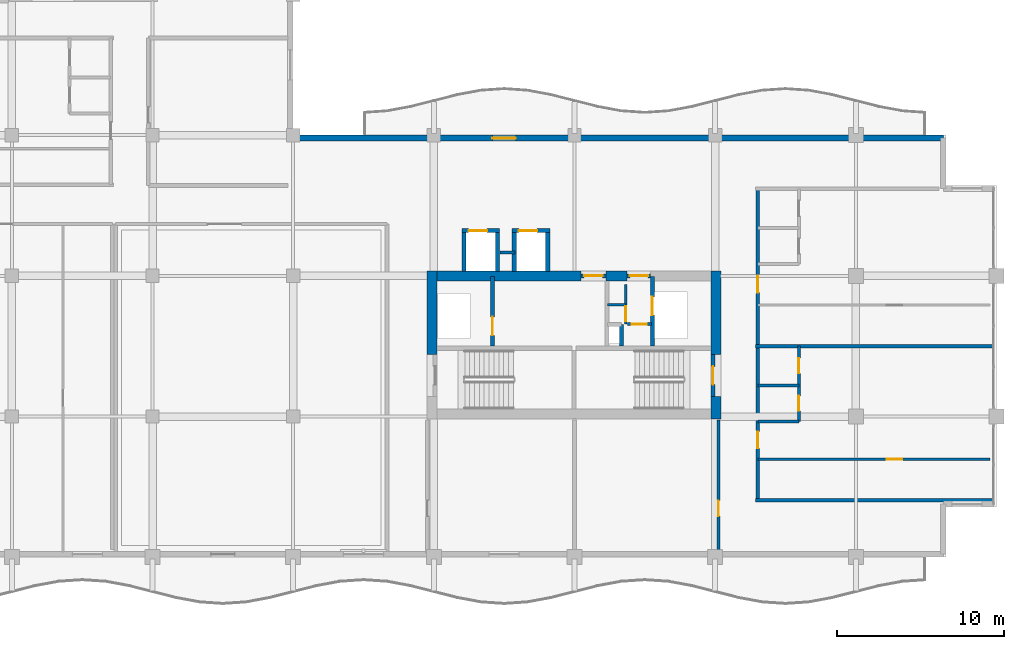
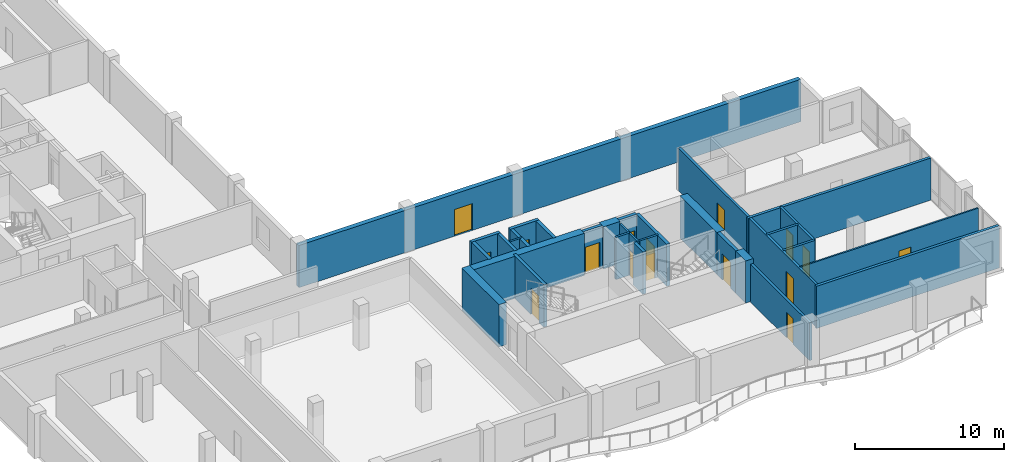
# One storey, part 7 of 16: 30 walls, 16 doors, 16 openings.
"""IFC4 building model written with IfcOpenShell, lengths in metres."""

from ifc_helpers import new_model, si_unit, direction, frame, frame_2d, origin, place, context, subcontext, project, spatial, rectangle, extrude, material, layer, layer_set, type_object, element, fill, save


model = new_model("IFC4")

# Units and contexts
model_context = context("Model", 3, precision=1e-05, world=origin(), true_north=direction((0.0, 1.0)))
body_context = subcontext(model_context, "Body", "Model", "MODEL_VIEW")
ifc_project = project(units=[si_unit("LENGTHUNIT", "METRE"), si_unit("AREAUNIT", "SQUARE_METRE"), si_unit("VOLUMEUNIT", "CUBIC_METRE"), si_unit("PLANEANGLEUNIT", "RADIAN"), si_unit("MASSUNIT", "GRAM", prefix="KILO")], contexts=[model_context])

# Site, building, storey
site_placement = place(None, origin())
site = spatial("IfcSite", under=ifc_project, at=site_placement, CompositionType="ELEMENT")
building_placement = place(site_placement, origin())
building = spatial("IfcBuilding", under=site, at=building_placement, Name="Koriwani Terraces Tower", CompositionType="ELEMENT")
storey_placement = place(building_placement, frame((0.0, 0.0, 274.89990234375)))
storey = spatial("IfcBuildingStorey", under=building, at=storey_placement, Name="L68", CompositionType="ELEMENT", Elevation=274.89990234375)

# Walls
ifc_material_1 = material(Name="Concrete C60/75", Category="concrete")
ifc_layer_1 = layer(ifc_material_1, 0.60009765625, Name="Concrete C60/75")
ifc_layer_set_1 = layer_set([ifc_layer_1], Name="Concrete C60/75")
wall_type_1 = type_object("IfcWallType", Name="WALL_CORE_RC_600", PredefinedType="SHEAR", material=ifc_layer_set_1)
wall_1_placement = place(storey_placement, frame((41.89990234375, 20.5, 0.0), z_axis=(0.0, 0.0, 1.0), x_axis=(0.0, 1.0, 0.0)))
element("IfcWall", 1, at=wall_1_placement, inside=storey, type_object=wall_type_1, Name="L68 East Split Core Shear Wall W2", PredefinedType="SHEAR", context=body_context, shape_type="SweptSolid", body=[
    extrude(rectangle(XDim=5.0, YDim=0.60009765625, at=frame_2d((2.5, 0.0))), origin(), (0.0, 0.0, 1.0), 3.47021484375),
])
wall_2_placement = place(storey_placement, frame((58.85009765625, 16.64990234375, 0.0), z_axis=(0.0, 0.0, 1.0), x_axis=(0.0, 1.0, 0.0)))
element("IfcWall", 2, at=wall_2_placement, inside=storey, type_object=wall_type_1, Name="L68 East Split Core Shear Wall E1", PredefinedType="SHEAR", context=body_context, shape_type="SweptSolid", body=[
    extrude(rectangle(XDim=1.35009765625, YDim=0.60009765625, at=frame_2d((0.675048828125, 0.0))), origin(), (0.0, 0.0, 1.0), 3.47021484375),
])
wall_3_placement = place(storey_placement, frame((58.85009765625, 20.5, 0.0), z_axis=(0.0, 0.0, 1.0), x_axis=(0.0, 1.0, 0.0)))
element("IfcWall", 3, at=wall_3_placement, inside=storey, type_object=wall_type_1, Name="L68 East Split Core Shear Wall E2", PredefinedType="SHEAR", context=body_context, shape_type="SweptSolid", body=[
    extrude(rectangle(XDim=5.0, YDim=0.60009765625, at=frame_2d((2.5, 0.0))), origin(), (0.0, 0.0, 1.0), 3.47021484375),
])
wall_4_placement = place(storey_placement, frame((42.199951171875, 25.199951171875, 0.0), z_axis=(0.0, 0.0, 1.0), x_axis=(1.0, 0.0, 0.0)))
element("IfcWall", 4, at=wall_4_placement, inside=storey, type_object=wall_type_1, Name="L68 East Split Core Shear Wall N1", PredefinedType="SHEAR", context=body_context, shape_type="SweptSolid", body=[
    extrude(rectangle(XDim=8.60009765625, YDim=0.60009765625, at=frame_2d((4.300048828125, 0.0))), origin(), (0.0, 0.0, 1.0), 3.47021484375),
])
wall_5_placement = place(storey_placement, frame((52.280029296875, 25.199951171875, 0.0), z_axis=(0.0, 0.0, 1.0), x_axis=(1.0, 0.0, 0.0)))
element("IfcWall", 5, at=wall_5_placement, inside=storey, type_object=wall_type_1, Name="L68 East Split Core Shear Wall N2", PredefinedType="SHEAR", context=body_context, shape_type="SweptSolid", body=[
    extrude(rectangle(XDim=1.27001953125, YDim=0.60009765625, at=frame_2d((0.635009765625, 0.0))), origin(), (0.0, 0.0, 1.0), 3.47021484375),
])

# Wall, opening, door
ifc_material_2 = material(Name="Autoclaved Cellular Concrete Blockwork", Category="masonry")
ifc_layer_2 = layer(ifc_material_2, 0.199951171875, Name="Autoclaved Cellular Concrete Blockwork")
ifc_layer_set_2 = layer_set([ifc_layer_2], Name="Autoclaved Cellular Concrete Blockwork")
wall_type_2 = type_object("IfcWallType", Name="WALL_CORRIDOR_200", PredefinedType="PARTITIONING", material=ifc_layer_set_2)
wall_6_placement = place(storey_placement, frame((59.0, 8.64990234375, 0.0), z_axis=(0.0, 0.0, 1.0), x_axis=(0.0, 1.0, 0.0)))
wall_6 = element("IfcWall", 6, at=wall_6_placement, inside=storey, type_object=wall_type_2, Name="L68 Interior Wall WRZ4-EE-L68", PredefinedType="PARTITIONING", context=body_context, shape_type="SweptSolid", body=[
    extrude(rectangle(XDim=7.9501953125, YDim=0.199951171875, at=frame_2d((3.97509765625, 0.0))), origin(), (0.0, 0.0, 1.0), 3.107177734375),
])
opening_1_placement = place(wall_6_placement, frame((2.199951171875, 0.0, 0.0)))
opening_1 = element("IfcOpeningElement", 7, at=opening_1_placement, cuts=wall_6, Name="Opening D-06", PredefinedType="OPENING", context=body_context, shape_type="SweptSolid", body=[
    extrude(rectangle(XDim=0.919921875, YDim=2.10009765625, at=frame_2d((0.4599609375, 1.050048828125))), frame((0.0, 0.10986328125, 0.0), z_axis=(0.0, -1.0, 0.0), x_axis=(1.0, 0.0, 0.0)), (0.0, 0.0, 1.0), 0.219970703125),
])
ifc_material_3 = material(Name="Architectural Oak Fire Door", Category="wood")
door_type_1 = type_object("IfcDoorType", Name="DOOR_ROOM_INT_920X2100", OperationType="NOTDEFINED", PredefinedType="DOOR", material=ifc_material_3)
door_1_placement = place(opening_1_placement, origin())
door_1 = element("IfcDoor", 8, at=door_1_placement, inside=storey, type_object=door_type_1, Name="L68 Resident Laundry Room Door", OperationType="SINGLE_SWING_RIGHT", OverallHeight=2.10009765625, OverallWidth=0.919921875, PredefinedType="DOOR", context=body_context, shape_type="SweptSolid", body=[
    extrude(rectangle(XDim=0.919921875, YDim=2.10009765625, at=frame_2d((0.4599609375, 1.050048828125))), frame((0.0, 0.02490234375, 0.0), z_axis=(0.0, -1.0, 0.0), x_axis=(1.0, 0.0, 0.0)), (0.0, 0.0, 1.0), 0.050048828125),
])
fill(opening_1, door_1)

# Wall, openings, doors
wall_7_placement = place(storey_placement, frame((61.35009765625, 11.800048828125, 0.0), z_axis=(0.0, 0.0, 1.0), x_axis=(0.0, 1.0, 0.0)))
wall_7 = element("IfcWall", 9, at=wall_7_placement, inside=storey, type_object=wall_type_2, Name="L68 Interior Wall WRCOR-L68-ETE-0", PredefinedType="PARTITIONING", context=body_context, shape_type="SweptSolid", body=[
    extrude(rectangle(XDim=18.599853515625, YDim=0.199951171875, at=frame_2d((9.2998046875, 0.0))), origin(), (0.0, 0.0, 1.0), 3.47021484375),
])
opening_2_placement = place(wall_7_placement, frame((3.094970703125, 0.0, 0.0)))
opening_2 = element("IfcOpeningElement", 10, at=opening_2_placement, cuts=wall_7, Name="Opening D-05", PredefinedType="OPENING", context=body_context, shape_type="SweptSolid", body=[
    extrude(rectangle(XDim=1.0, YDim=2.14990234375, at=frame_2d((0.5, 1.074951171875))), frame((0.0, 0.10986328125, 0.0), z_axis=(0.0, -1.0, 0.0), x_axis=(1.0, 0.0, 0.0)), (0.0, 0.0, 1.0), 0.219970703125),
])
opening_3_placement = place(wall_7_placement, frame((12.39501953125, 0.0, 0.0)))
opening_3 = element("IfcOpeningElement", 11, at=opening_3_placement, cuts=wall_7, Name="Opening D-05", PredefinedType="OPENING", context=body_context, shape_type="SweptSolid", body=[
    extrude(rectangle(XDim=1.0, YDim=2.14990234375, at=frame_2d((0.5, 1.074951171875))), frame((0.0, 0.10986328125, 0.0), z_axis=(0.0, -1.0, 0.0), x_axis=(1.0, 0.0, 0.0)), (0.0, 0.0, 1.0), 0.219970703125),
])
door_type_2 = type_object("IfcDoorType", Name="DOOR_SUITE_ENTRY_1000X2150", OperationType="NOTDEFINED", PredefinedType="DOOR", material=ifc_material_3)
door_2_placement = place(opening_2_placement, origin())
door_2 = element("IfcDoor", 12, at=door_2_placement, inside=storey, type_object=door_type_2, Name="Apartment 68ETE1 Entrance Door", OperationType="SINGLE_SWING_RIGHT", OverallHeight=2.14990234375, OverallWidth=1.0, PredefinedType="DOOR", context=body_context, shape_type="SweptSolid", body=[
    extrude(rectangle(XDim=1.0, YDim=2.14990234375, at=frame_2d((0.5, 1.074951171875))), frame((0.0, 0.02490234375, 0.0), z_axis=(0.0, -1.0, 0.0), x_axis=(1.0, 0.0, 0.0)), (0.0, 0.0, 1.0), 0.050048828125),
])
fill(opening_2, door_2)
door_3_placement = place(opening_3_placement, origin())
door_3 = element("IfcDoor", 13, at=door_3_placement, inside=storey, type_object=door_type_2, Name="Apartment 68ETE2 Entrance Door", OperationType="SINGLE_SWING_RIGHT", OverallHeight=2.14990234375, OverallWidth=1.0, PredefinedType="DOOR", context=body_context, shape_type="SweptSolid", body=[
    extrude(rectangle(XDim=1.0, YDim=2.14990234375, at=frame_2d((0.5, 1.074951171875))), frame((0.0, 0.02490234375, 0.0), z_axis=(0.0, -1.0, 0.0), x_axis=(1.0, 0.0, 0.0)), (0.0, 0.0, 1.0), 0.050048828125),
])
fill(opening_3, door_3)

# Walls
ifc_layer_3 = layer(ifc_material_2, 0.219970703125, Name="Autoclaved Cellular Concrete Blockwork")
ifc_layer_set_3 = layer_set([ifc_layer_3], Name="Autoclaved Cellular Concrete Blockwork")
wall_type_3 = type_object("IfcWallType", Name="WALL_DEMISING_220", PredefinedType="PARTITIONING", material=ifc_layer_set_3)
for number, where, z_axis, x_axis, name in (
    (14, (61.199951171875, 11.800048828125, 0.0), (0.0, 0.0, 1.0), (1.0, 0.0, 0.0), "L68 Interior Wall WRDEM-L68-ETE-0"),
    (15, (61.199951171875, 21.0, 0.0), (0.0, 0.0, 1.0), (1.0, 0.0, 0.0), "L68 Interior Wall WRDEM-L68-ETE-1"),
):
    element("IfcWall", number, at=place(storey_placement, frame(where, z_axis=z_axis, x_axis=x_axis)), inside=storey, type_object=wall_type_3, Name=name, PredefinedType="PARTITIONING", context=body_context, shape_type="SweptSolid", body=[
        extrude(rectangle(XDim=14.199951171875, YDim=0.219970703125, at=frame_2d((7.10009765625, 0.0))), origin(), (0.0, 0.0, 1.0), 3.47021484375),
    ])

# Wall, opening, door
ifc_material_4 = material(Name="Concrete C50/60", Category="concrete")
ifc_layer_4 = layer(ifc_material_4, 0.35009765625, Name="Concrete C50/60")
ifc_layer_set_4 = layer_set([ifc_layer_4], Name="Concrete C50/60")
wall_type_4 = type_object("IfcWallType", Name="WALL_EXT_BRUTALIST_350", PredefinedType="STANDARD", material=ifc_layer_set_4)
wall_8_placement = place(storey_placement, frame((33.425048828125, 33.425048828125, 0.0), z_axis=(0.0, 0.0, 1.0), x_axis=(1.0, 0.0, 0.0)))
wall_8 = element("IfcWall", 16, at=wall_8_placement, inside=storey, type_object=wall_type_4, Name="L68 Fair-Faced Brutalist Exterior Wall (NE)", PredefinedType="STANDARD", context=body_context, shape_type="SweptSolid", body=[
    extrude(rectangle(XDim=39.0, YDim=0.35009765625, at=frame_2d((19.5, 0.0))), origin(), (0.0, 0.0, 1.0), 3.47021484375),
])
opening_4_placement = place(wall_8_placement, frame((12.074951171875, 0.0, 0.0)))
opening_4 = element("IfcOpeningElement", 17, at=opening_4_placement, cuts=wall_8, Name="Opening D-09", PredefinedType="OPENING", context=body_context, shape_type="SweptSolid", body=[
    extrude(rectangle(XDim=1.39990234375, YDim=2.199951171875, at=frame_2d((0.699951171875, 1.10009765625))), frame((0.0, 0.18505859375, 0.0), z_axis=(0.0, -1.0, 0.0), x_axis=(1.0, 0.0, 0.0)), (0.0, 0.0, 1.0), 0.3701171875),
])
ifc_material_5 = material(Name="Anodised Bronze Aluminium", Category="aluminium")
door_type_3 = type_object("IfcDoorType", Name="DOOR_BALCONY_GLAZED_1400X2200", OperationType="NOTDEFINED", PredefinedType="DOOR", material=ifc_material_5)
door_4_placement = place(opening_4_placement, origin())
door_4 = element("IfcDoor", 18, at=door_4_placement, inside=storey, type_object=door_type_3, Name="L68 Inner Court Balcony Glazed Door", OperationType="SINGLE_SWING_LEFT", OverallHeight=2.199951171875, OverallWidth=1.39990234375, PredefinedType="DOOR", context=body_context, shape_type="SweptSolid", body=[
    extrude(rectangle(XDim=1.39990234375, YDim=2.199951171875, at=frame_2d((0.699951171875, 1.10009765625))), frame((0.0, 0.02490234375, 0.0), z_axis=(0.0, -1.0, 0.0), x_axis=(1.0, 0.0, 0.0)), (0.0, 0.0, 1.0), 0.050048828125),
])
fill(opening_4, door_4)

ifc_material_6 = material(Name="Fire-Rated Acoustic Gypsum Partition", Category="masonry")
ifc_layer_5 = layer(ifc_material_6, 0.125, Name="Fire-Rated Acoustic Gypsum Partition")
ifc_layer_set_5 = layer_set([ifc_layer_5], Name="Fire-Rated Acoustic Gypsum Partition")
wall_type_5 = type_object("IfcWallType", Name="WALL_INT_125", PredefinedType="PARTITIONING", material=ifc_layer_set_5)
wall_9_placement = place(storey_placement, frame((61.35009765625, 14.25, 0.0), z_axis=(0.0, 0.0, 1.0), x_axis=(1.0, 0.0, 0.0)))
wall_9 = element("IfcWall", 19, at=wall_9_placement, inside=storey, type_object=wall_type_5, Name="L68 Interior Wall WRBED1-L68-ETE-0", PredefinedType="PARTITIONING", context=body_context, shape_type="SweptSolid", body=[
    extrude(rectangle(XDim=13.869873046875, YDim=0.125, at=frame_2d((6.93505859375, 0.0))), origin(), (0.0, 0.0, 1.0), 3.47021484375),
])
opening_5_placement = place(wall_9_placement, frame((7.699951171875, 0.0, 0.0)))
opening_5 = element("IfcOpeningElement", 20, at=opening_5_placement, cuts=wall_9, Name="Opening D-06", PredefinedType="OPENING", context=body_context, shape_type="SweptSolid", body=[
    extrude(rectangle(XDim=0.919921875, YDim=2.10009765625, at=frame_2d((0.4599609375, 1.050048828125))), frame((0.0, 0.072509765625, 0.0), z_axis=(0.0, -1.0, 0.0), x_axis=(1.0, 0.0, 0.0)), (0.0, 0.0, 1.0), 0.14501953125),
])
door_5_placement = place(opening_5_placement, origin())
door_5 = element("IfcDoor", 21, at=door_5_placement, inside=storey, type_object=door_type_1, Name="Apartment 68ETE1 Master Bedroom Door", OperationType="SINGLE_SWING_LEFT", OverallHeight=2.10009765625, OverallWidth=0.919921875, PredefinedType="DOOR", context=body_context, shape_type="SweptSolid", body=[
    extrude(rectangle(XDim=0.919921875, YDim=2.10009765625, at=frame_2d((0.4599609375, 1.050048828125))), frame((0.0, 0.02490234375, 0.0), z_axis=(0.0, -1.0, 0.0), x_axis=(1.0, 0.0, 0.0)), (0.0, 0.0, 1.0), 0.050048828125),
])
fill(opening_5, door_5)

# Wall, openings, doors
ifc_layer_6 = layer(ifc_material_6, 0.179931640625, Name="Fire-Rated Acoustic Gypsum Partition")
ifc_layer_set_6 = layer_set([ifc_layer_6], Name="Fire-Rated Acoustic Gypsum Partition")
wall_type_6 = type_object("IfcWallType", Name="WALL_PLUMBING_180", PredefinedType="PLUMBINGWALL", material=ifc_layer_set_6)
wall_10_placement = place(storey_placement, frame((63.800048828125, 16.5, 0.0), z_axis=(0.0, 0.0, 1.0), x_axis=(0.0, 1.0, 0.0)))
wall_10 = element("IfcWall", 22, at=wall_10_placement, inside=storey, type_object=wall_type_6, Name="L68 Interior Wall WRSVC-L68-ETE-0", PredefinedType="PLUMBINGWALL", context=body_context, shape_type="SweptSolid", body=[
    extrude(rectangle(XDim=4.5, YDim=0.179931640625, at=frame_2d((2.25, 0.0))), origin(), (0.0, 0.0, 1.0), 3.47021484375),
])
opening_6_placement = place(wall_10_placement, frame((0.6298828125, 0.0, 0.0)))
opening_6 = element("IfcOpeningElement", 23, at=opening_6_placement, cuts=wall_10, Name="Opening D-07", PredefinedType="OPENING", context=body_context, shape_type="SweptSolid", body=[
    extrude(rectangle(XDim=0.89990234375, YDim=2.10009765625, at=frame_2d((0.449951171875, 1.050048828125))), frame((0.0, 0.10009765625, 0.0), z_axis=(0.0, -1.0, 0.0), x_axis=(1.0, 0.0, 0.0)), (0.0, 0.0, 1.0), 0.199951171875),
])
opening_7_placement = place(wall_10_placement, frame((2.8701171875, 0.0, 0.0)))
opening_7 = element("IfcOpeningElement", 24, at=opening_7_placement, cuts=wall_10, Name="Opening D-06", PredefinedType="OPENING", context=body_context, shape_type="SweptSolid", body=[
    extrude(rectangle(XDim=0.919921875, YDim=2.10009765625, at=frame_2d((0.4599609375, 1.050048828125))), frame((0.0, 0.10009765625, 0.0), z_axis=(0.0, -1.0, 0.0), x_axis=(1.0, 0.0, 0.0)), (0.0, 0.0, 1.0), 0.199951171875),
])
door_type_4 = type_object("IfcDoorType", Name="DOOR_BATH_INT_900X2100", OperationType="NOTDEFINED", PredefinedType="DOOR", material=ifc_material_3)
door_6_placement = place(opening_6_placement, origin())
door_6 = element("IfcDoor", 25, at=door_6_placement, inside=storey, type_object=door_type_4, Name="Apartment 68ETE1 Bathroom Door", OperationType="SINGLE_SWING_LEFT", OverallHeight=2.10009765625, OverallWidth=0.89990234375, PredefinedType="DOOR", context=body_context, shape_type="SweptSolid", body=[
    extrude(rectangle(XDim=0.89990234375, YDim=2.10009765625, at=frame_2d((0.449951171875, 1.050048828125))), frame((0.0, 0.02490234375, 0.0), z_axis=(0.0, -1.0, 0.0), x_axis=(1.0, 0.0, 0.0)), (0.0, 0.0, 1.0), 0.050048828125),
])
fill(opening_6, door_6)
door_7_placement = place(opening_7_placement, origin())
door_7 = element("IfcDoor", 26, at=door_7_placement, inside=storey, type_object=door_type_1, Name="Apartment 68ETE1 Kitchen Door", OperationType="SINGLE_SWING_RIGHT", OverallHeight=2.10009765625, OverallWidth=0.919921875, PredefinedType="DOOR", context=body_context, shape_type="SweptSolid", body=[
    extrude(rectangle(XDim=0.919921875, YDim=2.10009765625, at=frame_2d((0.4599609375, 1.050048828125))), frame((0.0, 0.02490234375, 0.0), z_axis=(0.0, -1.0, 0.0), x_axis=(1.0, 0.0, 0.0)), (0.0, 0.0, 1.0), 0.050048828125),
])
fill(opening_7, door_7)

# Walls
for number, where, z_axis, x_axis, name in (
    (27, (61.35009765625, 16.5, 0.0), (0.0, 0.0, 1.0), (1.0, 0.0, 0.0), "L68 Interior Wall WRSVCS-L68-ETE-0"),
    (28, (61.35009765625, 18.659912109375, 0.0), (0.0, 0.0, 1.0), (1.0, 0.0, 0.0), "L68 Interior Wall WRSVCM-L68-ETE-0"),
):
    element("IfcWall", number, at=place(storey_placement, frame(where, z_axis=z_axis, x_axis=x_axis)), inside=storey, type_object=wall_type_6, Name=name, PredefinedType="PLUMBINGWALL", context=body_context, shape_type="SweptSolid", body=[
        extrude(rectangle(XDim=2.449951171875, YDim=0.179931640625, at=frame_2d((1.22509765625, 0.0))), origin(), (0.0, 0.0, 1.0), 3.47021484375),
    ])

# Wall, opening, door
ifc_material_7 = material(Name="Concrete C40/50", Category="concrete")
ifc_layer_7 = layer(ifc_material_7, 0.25, Name="Concrete C40/50")
ifc_layer_set_7 = layer_set([ifc_layer_7], Name="Concrete C40/50")
wall_type_7 = type_object("IfcWallType", Name="WALL_SHAFT_RATED_250", PredefinedType="SOLIDWALL", material=ifc_layer_set_7)
wall_11_placement = place(storey_placement, frame((58.675048828125, 18.0, 0.0), z_axis=(0.0, 0.0, 1.0), x_axis=(0.0, 1.0, 0.0)))
wall_11 = element("IfcWall", 29, at=wall_11_placement, inside=storey, type_object=wall_type_7, Name="L68 Interior Wall WIN-CE-L68-STE", PredefinedType="SOLIDWALL", context=body_context, shape_type="SweptSolid", body=[
    extrude(rectangle(XDim=2.5, YDim=0.25, at=frame_2d((1.25, 0.0))), origin(), (0.0, 0.0, 1.0), 3.47021484375),
])
opening_8_placement = place(wall_11_placement, frame((0.699951171875, 0.0, 0.0)))
opening_8 = element("IfcOpeningElement", 30, at=opening_8_placement, cuts=wall_11, Name="Opening D-03", PredefinedType="OPENING", context=body_context, shape_type="SweptSolid", body=[
    extrude(rectangle(XDim=1.10009765625, YDim=2.14990234375, at=frame_2d((0.550048828125, 1.074951171875))), frame((0.0, 0.135009765625, 0.0), z_axis=(0.0, -1.0, 0.0), x_axis=(1.0, 0.0, 0.0)), (0.0, 0.0, 1.0), 0.27001953125),
])
ifc_material_8 = material(Name="Steel ASTM A572 Grade 50", Category="steel")
door_type_5 = type_object("IfcDoorType", Name="DOOR_STAIR_FIRE_1100X2150", OperationType="NOTDEFINED", PredefinedType="DOOR", material=ifc_material_8)
door_8_placement = place(opening_8_placement, origin())
door_8 = element("IfcDoor", 31, at=door_8_placement, inside=storey, type_object=door_type_5, Name="L68 Exit Stair ST-E2 Door", OperationType="SINGLE_SWING_RIGHT", OverallHeight=2.14990234375, OverallWidth=1.10009765625, PredefinedType="DOOR", context=body_context, shape_type="SweptSolid", body=[
    extrude(rectangle(XDim=1.10009765625, YDim=2.14990234375, at=frame_2d((0.550048828125, 1.074951171875))), frame((0.0, 0.02490234375, 0.0), z_axis=(0.0, -1.0, 0.0), x_axis=(1.0, 0.0, 0.0)), (0.0, 0.0, 1.0), 0.050048828125),
])
fill(opening_8, door_8)

wall_12_placement = place(storey_placement, frame((45.5, 21.0, 0.0), z_axis=(0.0, 0.0, 1.0), x_axis=(0.0, 1.0, 0.0)))
wall_12 = element("IfcWall", 32, at=wall_12_placement, inside=storey, type_object=wall_type_7, Name="L68 Interior Wall WIN-CE-L68-FE", PredefinedType="SOLIDWALL", context=body_context, shape_type="SweptSolid", body=[
    extrude(rectangle(XDim=4.14990234375, YDim=0.25, at=frame_2d((2.074951171875, 0.0))), origin(), (0.0, 0.0, 1.0), 3.47021484375),
])
opening_9_placement = place(wall_12_placement, frame((0.64990234375, 0.0, 0.0)))
opening_9 = element("IfcOpeningElement", 33, at=opening_9_placement, cuts=wall_12, Name="Opening LD-01", PredefinedType="OPENING", context=body_context, shape_type="SweptSolid", body=[
    extrude(rectangle(XDim=1.10009765625, YDim=2.14990234375, at=frame_2d((0.550048828125, 1.074951171875))), frame((0.0, 0.135009765625, 0.0), z_axis=(0.0, -1.0, 0.0), x_axis=(1.0, 0.0, 0.0)), (0.0, 0.0, 1.0), 0.27001953125),
])
door_type_6 = type_object("IfcDoorType", Name="DOOR_LIFT_LANDING_1100X2200", OperationType="NOTDEFINED", PredefinedType="DOOR", material=ifc_material_8)
door_9_placement = place(opening_9_placement, origin())
door_9 = element("IfcDoor", 34, at=door_9_placement, inside=storey, type_object=door_type_6, Name="L68 Firefighting Lift FE-02 Landing Door", OperationType="SLIDING_TO_LEFT", OverallHeight=2.14990234375, OverallWidth=1.10009765625, PredefinedType="DOOR", context=body_context, shape_type="SweptSolid", body=[
    extrude(rectangle(XDim=1.10009765625, YDim=2.14990234375, at=frame_2d((0.550048828125, 1.074951171875))), frame((0.0, 0.02490234375, 0.0), z_axis=(0.0, -1.0, 0.0), x_axis=(1.0, 0.0, 0.0)), (0.0, 0.0, 1.0), 0.050048828125),
])
fill(opening_9, door_9)

wall_13_placement = place(storey_placement, frame((50.800048828125, 25.199951171875, 0.0), z_axis=(0.0, 0.0, 1.0), x_axis=(1.0, 0.0, 0.0)))
wall_13 = element("IfcWall", 35, at=wall_13_placement, inside=storey, type_object=wall_type_7, Name="L68 Interior Wall WIN-CE-L68-NP", PredefinedType="SOLIDWALL", context=body_context, shape_type="SweptSolid", body=[
    extrude(rectangle(XDim=1.47998046875, YDim=0.25, at=frame_2d((0.739990234375, 0.0))), origin(), (0.0, 0.0, 1.0), 3.47021484375),
])
opening_10_placement = place(wall_13_placement, frame((0.179931640625, 0.0, 0.0)))
opening_10 = element("IfcOpeningElement", 36, at=opening_10_placement, cuts=wall_13, Name="Opening D-03", PredefinedType="OPENING", context=body_context, shape_type="SweptSolid", body=[
    extrude(rectangle(XDim=1.10009765625, YDim=2.14990234375, at=frame_2d((0.550048828125, 1.074951171875))), frame((0.0, 0.135009765625, 0.0), z_axis=(0.0, -1.0, 0.0), x_axis=(1.0, 0.0, 0.0)), (0.0, 0.0, 1.0), 0.27001953125),
])
door_10_placement = place(opening_10_placement, origin())
door_10 = element("IfcDoor", 37, at=door_10_placement, inside=storey, type_object=door_type_5, Name="L68 East Firefighting Lobby Door", OperationType="SINGLE_SWING_LEFT", OverallHeight=2.14990234375, OverallWidth=1.10009765625, PredefinedType="DOOR", context=body_context, shape_type="SweptSolid", body=[
    extrude(rectangle(XDim=1.10009765625, YDim=2.14990234375, at=frame_2d((0.550048828125, 1.074951171875))), frame((0.0, 0.02490234375, 0.0), z_axis=(0.0, -1.0, 0.0), x_axis=(1.0, 0.0, 0.0)), (0.0, 0.0, 1.0), 0.050048828125),
])
fill(opening_10, door_10)

wall_14_placement = place(storey_placement, frame((55.050048828125, 21.0, 0.0), z_axis=(0.0, 0.0, 1.0), x_axis=(0.0, 1.0, 0.0)))
wall_14 = element("IfcWall", 38, at=wall_14_placement, inside=storey, type_object=wall_type_7, Name="L68 Interior Wall WIN-CE-L68-SE", PredefinedType="SOLIDWALL", context=body_context, shape_type="SweptSolid", body=[
    extrude(rectangle(XDim=4.14990234375, YDim=0.25, at=frame_2d((2.074951171875, 0.0))), origin(), (0.0, 0.0, 1.0), 3.47021484375),
])
opening_11_placement = place(wall_14_placement, frame((1.85009765625, 0.0, 0.0)))
opening_11 = element("IfcOpeningElement", 39, at=opening_11_placement, cuts=wall_14, Name="Opening LD-01", PredefinedType="OPENING", context=body_context, shape_type="SweptSolid", body=[
    extrude(rectangle(XDim=1.10009765625, YDim=2.14990234375, at=frame_2d((0.550048828125, 1.074951171875))), frame((0.0, 0.135009765625, 0.0), z_axis=(0.0, -1.0, 0.0), x_axis=(1.0, 0.0, 0.0)), (0.0, 0.0, 1.0), 0.27001953125),
])
door_11_placement = place(opening_11_placement, origin())
door_11 = element("IfcDoor", 40, at=door_11_placement, inside=storey, type_object=door_type_6, Name="L68 Goods Lift SE-02 Landing Door", OperationType="SLIDING_TO_LEFT", OverallHeight=2.14990234375, OverallWidth=1.10009765625, PredefinedType="DOOR", context=body_context, shape_type="SweptSolid", body=[
    extrude(rectangle(XDim=1.10009765625, YDim=2.14990234375, at=frame_2d((0.550048828125, 1.074951171875))), frame((0.0, 0.02490234375, 0.0), z_axis=(0.0, -1.0, 0.0), x_axis=(1.0, 0.0, 0.0)), (0.0, 0.0, 1.0), 0.050048828125),
])
fill(opening_11, door_11)

wall_15_placement = place(storey_placement, frame((53.550048828125, 25.199951171875, 0.0), z_axis=(0.0, 0.0, 1.0), x_axis=(1.0, 0.0, 0.0)))
wall_15 = element("IfcWall", 41, at=wall_15_placement, inside=storey, type_object=wall_type_7, Name="L68 Interior Wall WIN-CE-L68-NP2", PredefinedType="SOLIDWALL", context=body_context, shape_type="SweptSolid", body=[
    extrude(rectangle(XDim=1.39990234375, YDim=0.25, at=frame_2d((0.699951171875, 0.0))), origin(), (0.0, 0.0, 1.0), 3.47021484375),
])
opening_12_placement = place(wall_15_placement, frame((0.14990234375, 0.0, 0.0)))
opening_12 = element("IfcOpeningElement", 42, at=opening_12_placement, cuts=wall_15, Name="Opening D-03", PredefinedType="OPENING", context=body_context, shape_type="SweptSolid", body=[
    extrude(rectangle(XDim=1.10009765625, YDim=2.14990234375, at=frame_2d((0.550048828125, 1.074951171875))), frame((0.0, 0.135009765625, 0.0), z_axis=(0.0, -1.0, 0.0), x_axis=(1.0, 0.0, 0.0)), (0.0, 0.0, 1.0), 0.27001953125),
])
door_12_placement = place(opening_12_placement, origin())
door_12 = element("IfcDoor", 43, at=door_12_placement, inside=storey, type_object=door_type_5, Name="L68 East Goods Lift Lobby Door", OperationType="SINGLE_SWING_RIGHT", OverallHeight=2.14990234375, OverallWidth=1.10009765625, PredefinedType="DOOR", context=body_context, shape_type="SweptSolid", body=[
    extrude(rectangle(XDim=1.10009765625, YDim=2.14990234375, at=frame_2d((0.550048828125, 1.074951171875))), frame((0.0, 0.02490234375, 0.0), z_axis=(0.0, -1.0, 0.0), x_axis=(1.0, 0.0, 0.0)), (0.0, 0.0, 1.0), 0.050048828125),
])
fill(opening_12, door_12)

# Wall
wall_16_placement = place(storey_placement, frame((53.199951171875, 21.0, 0.0), z_axis=(0.0, 0.0, 1.0), x_axis=(0.0, 1.0, 0.0)))
element("IfcWall", 44, at=wall_16_placement, inside=storey, type_object=wall_type_7, Name="L68 Interior Wall WIN-CE-L68-RS1", PredefinedType="SOLIDWALL", context=body_context, shape_type="SweptSolid", body=[
    extrude(rectangle(XDim=1.300048828125, YDim=0.25, at=frame_2d((0.64990234375, 0.0))), origin(), (0.0, 0.0, 1.0), 3.47021484375),
])

# Wall, opening, door
wall_17_placement = place(storey_placement, frame((43.675048828125, 27.89990234375, 0.0), z_axis=(0.0, 0.0, 1.0), x_axis=(1.0, 0.0, 0.0)))
wall_17 = element("IfcWall", 45, at=wall_17_placement, inside=storey, type_object=wall_type_7, Name="L68 Interior Wall WIN-LF-PE-H3-L68-F", PredefinedType="SOLIDWALL", context=body_context, shape_type="SweptSolid", body=[
    extrude(rectangle(XDim=2.25, YDim=0.25, at=frame_2d((1.125, 0.0))), origin(), (0.0, 0.0, 1.0), 3.47021484375),
])
opening_13_placement = place(wall_17_placement, frame((0.39990234375, 0.0, 0.0)))
opening_13 = element("IfcOpeningElement", 46, at=opening_13_placement, cuts=wall_17, Name="Opening LD-01", PredefinedType="OPENING", context=body_context, shape_type="SweptSolid", body=[
    extrude(rectangle(XDim=1.10009765625, YDim=2.14990234375, at=frame_2d((0.550048828125, 1.074951171875))), frame((0.0, 0.135009765625, 0.0), z_axis=(0.0, -1.0, 0.0), x_axis=(1.0, 0.0, 0.0)), (0.0, 0.0, 1.0), 0.27001953125),
])
door_13_placement = place(opening_13_placement, origin())
door_13 = element("IfcDoor", 47, at=door_13_placement, inside=storey, type_object=door_type_6, Name="L68 Passenger Lift PE-H3 Landing Door", OperationType="SLIDING_TO_LEFT", OverallHeight=2.14990234375, OverallWidth=1.10009765625, PredefinedType="DOOR", context=body_context, shape_type="SweptSolid", body=[
    extrude(rectangle(XDim=1.10009765625, YDim=2.14990234375, at=frame_2d((0.550048828125, 1.074951171875))), frame((0.0, 0.02490234375, 0.0), z_axis=(0.0, -1.0, 0.0), x_axis=(1.0, 0.0, 0.0)), (0.0, 0.0, 1.0), 0.050048828125),
])
fill(opening_13, door_13)

# Walls
for number, where, z_axis, x_axis, name in (
    (48, (43.800048828125, 25.449951171875, 0.0), (0.0, 0.0, 1.0), (0.0, 1.0, 0.0), "L68 Interior Wall WIN-LF-PE-H3-L68-W"),
    (49, (45.800048828125, 25.449951171875, 0.0), (0.0, 0.0, 1.0), (0.0, 1.0, 0.0), "L68 Interior Wall WIN-LF-PE-H3-L68-E"),
):
    element("IfcWall", number, at=place(storey_placement, frame(where, z_axis=z_axis, x_axis=x_axis)), inside=storey, type_object=wall_type_7, Name=name, PredefinedType="SOLIDWALL", context=body_context, shape_type="SweptSolid", body=[
        extrude(rectangle(XDim=2.324951171875, YDim=0.25, at=frame_2d((1.16259765625, 0.0))), origin(), (0.0, 0.0, 1.0), 3.47021484375),
    ])

# Wall, opening, door
wall_18_placement = place(storey_placement, frame((46.675048828125, 27.89990234375, 0.0), z_axis=(0.0, 0.0, 1.0), x_axis=(1.0, 0.0, 0.0)))
wall_18 = element("IfcWall", 50, at=wall_18_placement, inside=storey, type_object=wall_type_7, Name="L68 Interior Wall WIN-LF-PE-H4-L68-F", PredefinedType="SOLIDWALL", context=body_context, shape_type="SweptSolid", body=[
    extrude(rectangle(XDim=2.25, YDim=0.25, at=frame_2d((1.125, 0.0))), origin(), (0.0, 0.0, 1.0), 3.47021484375),
])
opening_14_placement = place(wall_18_placement, frame((0.39990234375, 0.0, 0.0)))
opening_14 = element("IfcOpeningElement", 51, at=opening_14_placement, cuts=wall_18, Name="Opening LD-01", PredefinedType="OPENING", context=body_context, shape_type="SweptSolid", body=[
    extrude(rectangle(XDim=1.10009765625, YDim=2.14990234375, at=frame_2d((0.550048828125, 1.074951171875))), frame((0.0, 0.135009765625, 0.0), z_axis=(0.0, -1.0, 0.0), x_axis=(1.0, 0.0, 0.0)), (0.0, 0.0, 1.0), 0.27001953125),
])
door_14_placement = place(opening_14_placement, origin())
door_14 = element("IfcDoor", 52, at=door_14_placement, inside=storey, type_object=door_type_6, Name="L68 Passenger Lift PE-H4 Landing Door", OperationType="SLIDING_TO_LEFT", OverallHeight=2.14990234375, OverallWidth=1.10009765625, PredefinedType="DOOR", context=body_context, shape_type="SweptSolid", body=[
    extrude(rectangle(XDim=1.10009765625, YDim=2.14990234375, at=frame_2d((0.550048828125, 1.074951171875))), frame((0.0, 0.02490234375, 0.0), z_axis=(0.0, -1.0, 0.0), x_axis=(1.0, 0.0, 0.0)), (0.0, 0.0, 1.0), 0.050048828125),
])
fill(opening_14, door_14)

# Walls
for number, where, z_axis, x_axis, name in (
    (53, (46.800048828125, 25.449951171875, 0.0), (0.0, 0.0, 1.0), (0.0, 1.0, 0.0), "L68 Interior Wall WIN-LF-PE-H4-L68-W"),
    (54, (48.800048828125, 25.449951171875, 0.0), (0.0, 0.0, 1.0), (0.0, 1.0, 0.0), "L68 Interior Wall WIN-LF-PE-H4-L68-E"),
):
    element("IfcWall", number, at=place(storey_placement, frame(where, z_axis=z_axis, x_axis=x_axis)), inside=storey, type_object=wall_type_7, Name=name, PredefinedType="SOLIDWALL", context=body_context, shape_type="SweptSolid", body=[
        extrude(rectangle(XDim=2.324951171875, YDim=0.25, at=frame_2d((1.16259765625, 0.0))), origin(), (0.0, 0.0, 1.0), 3.47021484375),
    ])

# Wall, opening, door
ifc_layer_8 = layer(ifc_material_6, 0.159912109375, Name="Fire-Rated Acoustic Gypsum Partition")
ifc_layer_set_8 = layer_set([ifc_layer_8], Name="Fire-Rated Acoustic Gypsum Partition")
wall_type_8 = type_object("IfcWallType", Name="WALL_SUITE_160", PredefinedType="PARTITIONING", material=ifc_layer_set_8)
wall_19_placement = place(storey_placement, frame((53.56005859375, 22.320068359375, 0.0), z_axis=(0.0, 0.0, 1.0), x_axis=(1.0, 0.0, 0.0)))
wall_19 = element("IfcWall", 55, at=wall_19_placement, inside=storey, type_object=wall_type_8, Name="L68 Interior Wall WIN-CE-L68-SV2A", PredefinedType="PARTITIONING", context=body_context, shape_type="SweptSolid", body=[
    extrude(rectangle(XDim=1.43994140625, YDim=0.159912109375, at=frame_2d((0.719970703125, 0.0))), origin(), (0.0, 0.0, 1.0), 3.47021484375),
])
opening_15_placement = place(wall_19_placement, frame((0.260009765625, 0.0, 0.0)))
opening_15 = element("IfcOpeningElement", 56, at=opening_15_placement, cuts=wall_19, Name="Opening D-07", PredefinedType="OPENING", context=body_context, shape_type="SweptSolid", body=[
    extrude(rectangle(XDim=0.89990234375, YDim=2.10009765625, at=frame_2d((0.449951171875, 1.050048828125))), frame((0.0, 0.08984375, 0.0), z_axis=(0.0, -1.0, 0.0), x_axis=(1.0, 0.0, 0.0)), (0.0, 0.0, 1.0), 0.179931640625),
])
door_15_placement = place(opening_15_placement, origin())
door_15 = element("IfcDoor", 57, at=door_15_placement, inside=storey, type_object=door_type_4, Name="L68 East Meter Room Door", OperationType="SINGLE_SWING_LEFT", OverallHeight=2.10009765625, OverallWidth=0.89990234375, PredefinedType="DOOR", context=body_context, shape_type="SweptSolid", body=[
    extrude(rectangle(XDim=0.89990234375, YDim=2.10009765625, at=frame_2d((0.449951171875, 1.050048828125))), frame((0.0, 0.02490234375, 0.0), z_axis=(0.0, -1.0, 0.0), x_axis=(1.0, 0.0, 0.0)), (0.0, 0.0, 1.0), 0.050048828125),
])
fill(opening_15, door_15)

wall_20_placement = place(storey_placement, frame((53.4599609375, 22.320068359375, 0.0), z_axis=(0.0, 0.0, 1.0), x_axis=(0.0, 1.0, 0.0)))
wall_20 = element("IfcWall", 58, at=wall_20_placement, inside=storey, type_object=wall_type_8, Name="L68 Interior Wall WIN-CE-L68-SV2H", PredefinedType="PARTITIONING", context=body_context, shape_type="SweptSolid", body=[
    extrude(rectangle(XDim=2.35986328125, YDim=0.159912109375, at=frame_2d((1.179931640625, 0.0))), origin(), (0.0, 0.0, 1.0), 3.47021484375),
])
opening_16_placement = place(wall_20_placement, frame((0.159912109375, 0.0, 0.0)))
opening_16 = element("IfcOpeningElement", 59, at=opening_16_placement, cuts=wall_20, Name="Opening D-07", PredefinedType="OPENING", context=body_context, shape_type="SweptSolid", body=[
    extrude(rectangle(XDim=0.89990234375, YDim=2.10009765625, at=frame_2d((0.449951171875, 1.050048828125))), frame((0.0, 0.08984375, 0.0), z_axis=(0.0, -1.0, 0.0), x_axis=(1.0, 0.0, 0.0)), (0.0, 0.0, 1.0), 0.179931640625),
])
door_16_placement = place(opening_16_placement, origin())
door_16 = element("IfcDoor", 60, at=door_16_placement, inside=storey, type_object=door_type_4, Name="L68 East Valve Room Door", OperationType="SINGLE_SWING_RIGHT", OverallHeight=2.10009765625, OverallWidth=0.89990234375, PredefinedType="DOOR", context=body_context, shape_type="SweptSolid", body=[
    extrude(rectangle(XDim=0.89990234375, YDim=2.10009765625, at=frame_2d((0.449951171875, 1.050048828125))), frame((0.0, 0.02490234375, 0.0), z_axis=(0.0, -1.0, 0.0), x_axis=(1.0, 0.0, 0.0)), (0.0, 0.0, 1.0), 0.050048828125),
])
fill(opening_16, door_16)

# Walls
wall_21_placement = place(storey_placement, frame((52.360107421875, 23.47998046875, 0.0), z_axis=(0.0, 0.0, 1.0), x_axis=(1.0, 0.0, 0.0)))
element("IfcWall", 61, at=wall_21_placement, inside=storey, type_object=wall_type_8, Name="L68 Interior Wall WIN-CE-L68-SV2V", PredefinedType="PARTITIONING", context=body_context, shape_type="SweptSolid", body=[
    extrude(rectangle(XDim=1.099853515625, YDim=0.159912109375, at=frame_2d((0.5498046875, 0.0))), origin(), (0.0, 0.0, 1.0), 3.47021484375),
])
wall_22_placement = place(storey_placement, frame((45.9599609375, 26.60009765625, 0.0), z_axis=(0.0, 0.0, 1.0), x_axis=(1.0, 0.0, 0.0)))
element("IfcWall", 62, at=wall_22_placement, inside=storey, type_object=wall_type_8, Name="L68 Interior Wall WIN-LF-PEH34-MID-L68", PredefinedType="PARTITIONING", context=body_context, shape_type="SweptSolid", body=[
    extrude(rectangle(XDim=0.880126953125, YDim=0.159912109375, at=frame_2d((0.43994140625, 0.0))), origin(), (0.0, 0.0, 1.0), 3.47021484375),
])

save(model, "model.ifc")
